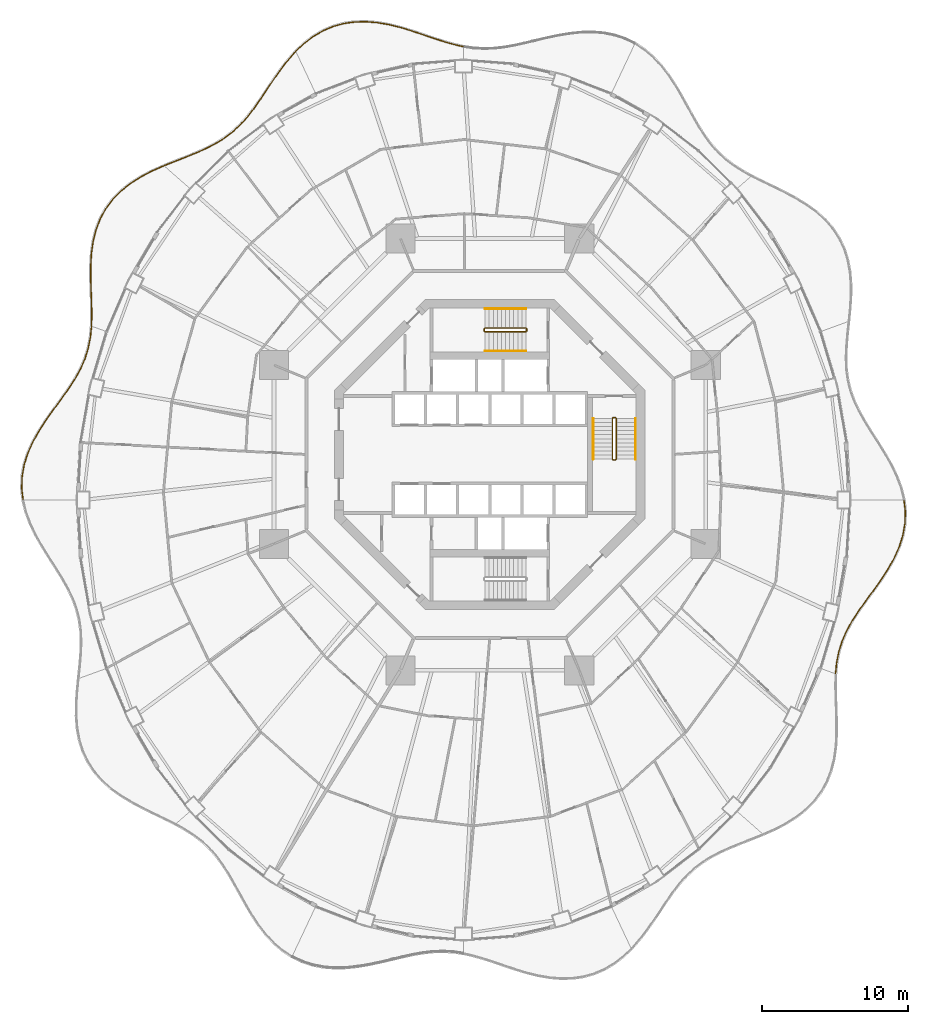
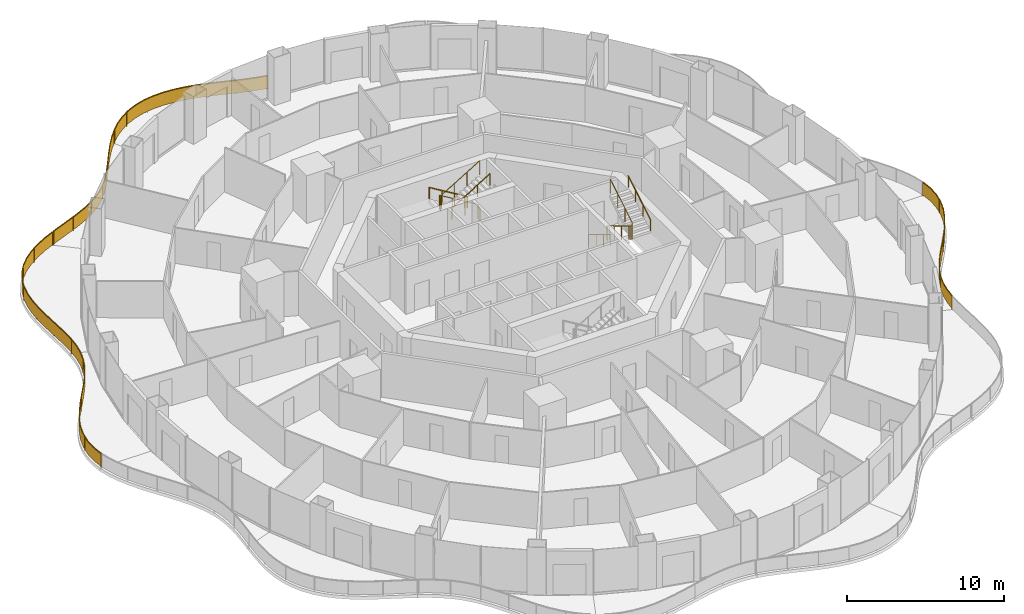
# One storey, part 18 of 19: 11 railings.
"""IFC4 building model written with IfcOpenShell, lengths in metres."""

from ifc_helpers import new_model, si_unit, direction, frame, origin, origin_2d, place, context, subcontext, project, spatial, polyline, rectangle, circle, outline, extrude, material, type_object, element, save


model = new_model("IFC4")

# Units and contexts
model_context = context("Model", 3, precision=1e-05, world=origin(), true_north=direction((0.0, 1.0)))
body_context = subcontext(model_context, "Body", "Model", "MODEL_VIEW")
ifc_project = project(units=[si_unit("LENGTHUNIT", "METRE"), si_unit("AREAUNIT", "SQUARE_METRE"), si_unit("VOLUMEUNIT", "CUBIC_METRE"), si_unit("PLANEANGLEUNIT", "RADIAN"), si_unit("MASSUNIT", "GRAM", prefix="KILO")], contexts=[model_context])

# Site, building, storey
site_placement = place(None, origin())
site = spatial("IfcSite", under=ifc_project, at=site_placement, CompositionType="ELEMENT")
building_placement = place(site_placement, origin())
building = spatial("IfcBuilding", under=site, at=building_placement, Name="Nagisa Residences", CompositionType="ELEMENT")
storey_placement = place(building_placement, frame((0.0, 0.0, 149.199951171875)))
storey = spatial("IfcBuildingStorey", under=building, at=storey_placement, Name="L37", CompositionType="ELEMENT", Elevation=149.199951171875)

# Railings
ifc_material_1 = material(Name="Stainless steel 316", Category="steel")
railing_type_1 = type_object("IfcRailingType", Name="BALCONY GUARD 1100", PredefinedType="BALUSTRADE", material=ifc_material_1)
railing_1_placement = place(storey_placement, frame((-1.834228515625, 27.925537109375, 0.0)))
element("IfcRailing", 1, at=railing_1_placement, inside=storey, type_object=railing_type_1, Name="guard:L37:bal04-0", PredefinedType="BALUSTRADE", context=body_context, shape_type="SweptSolid", body=[
    extrude(outline(polyline([(-0.65087890625, 0.123046875), (-0.005615234375, -0.0244140625), (0.005615234375, 0.0244140625), (-0.63818359375, 0.17138671875), (-1.337158203125, 0.37255859375), (-2.052734375, 0.606201171875), (-2.787109375, 0.8564453125), (-3.540771484375, 1.10595703125), (-4.29345703125, 1.337646484375), (-5.07666015625, 1.5283203125), (-5.866455078125, 1.6630859375), (-6.655517578125, 1.726318359375), (-7.435546875, 1.706298828125), (-8.1806640625, 1.60009765625), (-8.91650390625, 1.393310546875), (-9.61865234375, 1.091552734375), (-10.28076171875, 0.69970703125), (-10.89990234375, 0.22705078125), (-11.438232421875, -0.283203125), (-11.403564453125, -0.3193359375), (-10.8671875, 0.18896484375), (-10.2529296875, 0.658203125), (-9.595703125, 1.046630859375), (-8.89990234375, 1.345947265625), (-8.17041015625, 1.55078125), (-7.43115234375, 1.656494140625), (-6.656982421875, 1.676025390625), (-5.872802734375, 1.61328125), (-5.0869140625, 1.4794921875), (-4.306640625, 1.289306640625), (-3.555908203125, 1.05810546875), (-2.80322265625, 0.80908203125), (-2.068359375, 0.558837890625), (-1.351806640625, 0.32470703125), (-0.65087890625, 0.123046875)])), frame((0.0, 0.0, 1.050048828125)), (0.0, 0.0, 1.0), 0.050048828125),
    extrude(outline(polyline([(-0.646240234375, 0.140380859375), (-0.00146484375, -0.0068359375), (0.00146484375, 0.0068359375), (-0.642822265625, 0.154052734375), (-1.342529296875, 0.355224609375), (-2.058349609375, 0.589111328125), (-2.79296875, 0.83935546875), (-3.546142578125, 1.088623046875), (-4.298095703125, 1.3203125), (-5.080322265625, 1.5107421875), (-5.86865234375, 1.64501953125), (-6.656005859375, 1.708251953125), (-7.433837890625, 1.6884765625), (-8.177001953125, 1.582275390625), (-8.91064453125, 1.376220703125), (-9.6103515625, 1.075439453125), (-10.270751953125, 0.684814453125), (-10.88818359375, 0.21337890625), (-11.42578125, -0.296142578125), (-11.416015625, -0.306396484375), (-10.87890625, 0.20263671875), (-10.262939453125, 0.673095703125), (-9.60400390625, 1.062744140625), (-8.90576171875, 1.363037109375), (-8.174072265625, 1.568603515625), (-7.432861328125, 1.67431640625), (-6.656494140625, 1.694091796875), (-5.87060546875, 1.63134765625), (-5.083251953125, 1.4970703125), (-4.302001953125, 1.306640625), (-3.550537109375, 1.075439453125), (-2.79736328125, 0.826171875), (-2.062744140625, 0.575927734375), (-1.346435546875, 0.342041015625), (-0.646240234375, 0.140380859375)])), frame((0.0, 0.0, 0.06005859375)), (0.0, 0.0, 1.0), 0.989990234375),
    extrude(rectangle(XDim=0.0400390625, YDim=0.0400390625, at=origin_2d()), origin(), (0.0, 0.0, 1.0), 1.050048828125),
    extrude(rectangle(XDim=0.0400390625, YDim=0.0400390625, at=origin_2d()), frame((-1.960205078125, 0.5498046875, 0.0)), (0.0, 0.0, 1.0), 1.050048828125),
    extrude(rectangle(XDim=0.0400390625, YDim=0.0400390625, at=origin_2d()), frame((-3.89453125, 1.188720703125, 0.0)), (0.0, 0.0, 1.0), 1.050048828125),
    extrude(rectangle(XDim=0.0400390625, YDim=0.0400390625, at=origin_2d()), frame((-5.878662109375, 1.638916015625, 0.0)), (0.0, 0.0, 1.0), 1.050048828125),
    extrude(rectangle(XDim=0.0400390625, YDim=0.0400390625, at=origin_2d()), frame((-7.908447265625, 1.613525390625, 0.0)), (0.0, 0.0, 1.0), 1.050048828125),
    extrude(rectangle(XDim=0.0400390625, YDim=0.0400390625, at=origin_2d()), frame((-9.818359375, 0.944091796875, 0.0)), (0.0, 0.0, 1.0), 1.050048828125),
    extrude(rectangle(XDim=0.0400390625, YDim=0.0400390625, at=origin_2d()), frame((-11.4208984375, -0.30126953125, 0.0)), (0.0, 0.0, 1.0), 1.050048828125),
])
railing_2_placement = place(storey_placement, frame((-13.308349609375, 27.568115234375, 0.0)))
element("IfcRailing", 2, at=railing_2_placement, inside=storey, type_object=railing_type_1, Name="guard:L37:bal05-0", PredefinedType="BALUSTRADE", context=body_context, shape_type="SweptSolid", body=[
    extrude(outline(polyline([(-0.497802734375, -0.599365234375), (0.018798828125, -0.0166015625), (-0.018798828125, 0.0166015625), (-0.536376953125, -0.567138671875), (-1.04638671875, -1.22412109375), (-1.5234375, -1.900634765625), (-1.97705078125, -2.57763671875), (-2.4189453125, -3.237548828125), (-2.84765625, -3.8564453125), (-3.3037109375, -4.440673828125), (-3.7841796875, -4.97412109375), (-4.299072265625, -5.452880859375), (-4.855712890625, -5.87841796875), (-5.44580078125, -6.244873046875), (-6.09375, -6.582275390625), (-6.78369140625, -6.89111328125), (-7.50830078125, -7.1845703125), (-8.256591796875, -7.4775390625), (-8.972900390625, -7.764404296875), (-8.954345703125, -7.810791015625), (-8.238037109375, -7.52392578125), (-7.48974609375, -7.23095703125), (-6.76416015625, -6.93701171875), (-6.07177734375, -6.627197265625), (-5.4208984375, -6.288330078125), (-4.827392578125, -5.91943359375), (-4.266845703125, -5.490966796875), (-3.74853515625, -5.00927734375), (-3.26513671875, -4.472900390625), (-2.80712890625, -3.88623046875), (-2.37744140625, -3.265869140625), (-1.935546875, -2.60546875), (-1.482421875, -1.928955078125), (-1.00634765625, -1.25390625), (-0.497802734375, -0.599365234375)])), frame((0.0, 0.0, 1.050048828125)), (0.0, 0.0, 1.0), 0.050048828125),
    extrude(outline(polyline([(-0.51171875, -0.587646484375), (0.005126953125, -0.004638671875), (-0.005126953125, 0.004638671875), (-0.5224609375, -0.578857421875), (-1.031982421875, -1.23486328125), (-1.5087890625, -1.910888671875), (-1.962158203125, -2.587646484375), (-2.404052734375, -3.247802734375), (-2.8330078125, -3.8671875), (-3.289794921875, -4.452392578125), (-3.771240234375, -4.98681640625), (-4.28759765625, -5.466552734375), (-4.845458984375, -5.89306640625), (-5.436767578125, -6.260498046875), (-6.085693359375, -6.598388671875), (-6.776611328125, -6.90771484375), (-7.501708984375, -7.201171875), (-8.25, -7.494140625), (-8.96630859375, -7.781005859375), (-8.9609375, -7.794189453125), (-8.24462890625, -7.50732421875), (-7.496337890625, -7.21435546875), (-6.771240234375, -6.92041015625), (-6.079833984375, -6.611083984375), (-5.429931640625, -6.272705078125), (-4.837646484375, -5.90478515625), (-4.2783203125, -5.477294921875), (-3.761474609375, -4.99658203125), (-3.279052734375, -4.461181640625), (-2.82177734375, -3.87548828125), (-2.392333984375, -3.255615234375), (-1.950439453125, -2.595458984375), (-1.4970703125, -1.918701171875), (-1.020751953125, -1.2431640625), (-0.51171875, -0.587646484375)])), frame((0.0, 0.0, 0.06005859375)), (0.0, 0.0, 1.0), 0.989990234375),
    extrude(rectangle(XDim=0.0400390625, YDim=0.0400390625, at=origin_2d()), origin(), (0.0, 0.0, 1.0), 1.050048828125),
    extrude(rectangle(XDim=0.0400390625, YDim=0.0400390625, at=origin_2d()), frame((-1.271728515625, -1.587158203125, 0.0)), (0.0, 0.0, 1.0), 1.050048828125),
    extrude(rectangle(XDim=0.0400390625, YDim=0.0400390625, at=origin_2d()), frame((-2.412841796875, -3.27294921875, 0.0)), (0.0, 0.0, 1.0), 1.050048828125),
    extrude(rectangle(XDim=0.0400390625, YDim=0.0400390625, at=origin_2d()), frame((-3.66259765625, -4.87646484375, 0.0)), (0.0, 0.0, 1.0), 1.050048828125),
    extrude(rectangle(XDim=0.0400390625, YDim=0.0400390625, at=origin_2d()), frame((-5.24267578125, -6.148193359375, 0.0)), (0.0, 0.0, 1.0), 1.050048828125),
    extrude(rectangle(XDim=0.0400390625, YDim=0.0400390625, at=origin_2d()), frame((-7.072265625, -7.034912109375, 0.0)), (0.0, 0.0, 1.0), 1.050048828125),
    extrude(rectangle(XDim=0.0400390625, YDim=0.0400390625, at=origin_2d()), frame((-8.963623046875, -7.78759765625, 0.0)), (0.0, 0.0, 1.0), 1.050048828125),
])
railing_3_placement = place(storey_placement, frame((-22.34326171875, 19.751708984375, 0.0)))
element("IfcRailing", 3, at=railing_3_placement, inside=storey, type_object=railing_type_1, Name="guard:L37:bal06-0", PredefinedType="BALUSTRADE", context=body_context, shape_type="SweptSolid", body=[
    extrude(outline(polyline([(-0.73681640625, -0.3525390625), (0.010009765625, -0.02294921875), (-0.010009765625, 0.02294921875), (-0.75830078125, -0.3076171875), (-1.521240234375, -0.70361328125), (-2.239013671875, -1.15478515625), (-2.893798828125, -1.6689453125), (-3.469970703125, -2.248779296875), (-3.949462890625, -2.883544921875), (-4.3408203125, -3.591064453125), (-4.635498046875, -4.352294921875), (-4.837646484375, -5.156494140625), (-4.95703125, -5.991455078125), (-5.002197265625, -6.831298828125), (-5.005126953125, -7.689453125), (-4.9794921875, -8.541259765625), (-4.947998046875, -9.376953125), (-4.9326171875, -10.18896484375), (-4.950927734375, -10.93017578125), (-4.901123046875, -10.931640625), (-4.88232421875, -10.18896484375), (-4.898193359375, -9.37548828125), (-4.9296875, -8.539794921875), (-4.954833984375, -7.68896484375), (-4.952392578125, -6.832763671875), (-4.9072265625, -5.996337890625), (-4.788330078125, -5.166259765625), (-4.587646484375, -4.367431640625), (-4.29541015625, -3.612548828125), (-3.907470703125, -2.910888671875), (-3.431884765625, -2.281494140625), (-2.860595703125, -1.70654296875), (-2.210205078125, -1.19580078125), (-1.496337890625, -0.7470703125), (-0.73681640625, -0.3525390625)])), frame((0.0, 0.0, 1.050048828125)), (0.0, 0.0, 1.0), 0.050048828125),
    extrude(outline(polyline([(-0.74462890625, -0.33642578125), (0.0029296875, -0.00634765625), (-0.0029296875, 0.00634765625), (-0.75048828125, -0.32373046875), (-1.51220703125, -0.71923828125), (-2.228759765625, -1.169677734375), (-2.8818359375, -1.6826171875), (-3.456298828125, -2.260498046875), (-3.934326171875, -2.893310546875), (-4.324462890625, -3.598876953125), (-4.6181640625, -4.357666015625), (-4.81982421875, -5.159912109375), (-4.939208984375, -5.9931640625), (-4.984375, -6.831787109375), (-4.987060546875, -7.689208984375), (-4.961669921875, -8.540771484375), (-4.93017578125, -9.37646484375), (-4.91455078125, -10.18896484375), (-4.93310546875, -10.9306640625), (-4.9189453125, -10.93115234375), (-4.900390625, -10.18896484375), (-4.916015625, -9.3759765625), (-4.947509765625, -8.540283203125), (-4.972900390625, -7.689208984375), (-4.97021484375, -6.832275390625), (-4.925048828125, -5.99462890625), (-4.80615234375, -5.162841796875), (-4.60498046875, -4.362060546875), (-4.311767578125, -3.604736328125), (-3.922607421875, -2.901123046875), (-3.445556640625, -2.269775390625), (-2.87255859375, -1.69287109375), (-2.220458984375, -1.180908203125), (-1.50537109375, -0.7314453125), (-0.74462890625, -0.33642578125)])), frame((0.0, 0.0, 0.06005859375)), (0.0, 0.0, 1.0), 0.989990234375),
    extrude(rectangle(XDim=0.0400390625, YDim=0.0400390625, at=origin_2d()), origin(), (0.0, 0.0, 1.0), 1.050048828125),
    extrude(rectangle(XDim=0.0400390625, YDim=0.0400390625, at=origin_2d()), frame((-1.95068359375, -1.003173828125, 0.0)), (0.0, 0.0, 1.0), 1.050048828125),
    extrude(rectangle(XDim=0.0400390625, YDim=0.0400390625, at=origin_2d()), frame((-3.58935546875, -2.448486328125, 0.0)), (0.0, 0.0, 1.0), 1.050048828125),
    extrude(rectangle(XDim=0.0400390625, YDim=0.0400390625, at=origin_2d()), frame((-4.615478515625, -4.375732421875, 0.0)), (0.0, 0.0, 1.0), 1.050048828125),
    extrude(rectangle(XDim=0.0400390625, YDim=0.0400390625, at=origin_2d()), frame((-4.96142578125, -6.538818359375, 0.0)), (0.0, 0.0, 1.0), 1.050048828125),
    extrude(rectangle(XDim=0.0400390625, YDim=0.0400390625, at=origin_2d()), frame((-4.947265625, -8.73486328125, 0.0)), (0.0, 0.0, 1.0), 1.050048828125),
    extrude(rectangle(XDim=0.0400390625, YDim=0.0400390625, at=origin_2d()), frame((-4.926025390625, -10.930908203125, 0.0)), (0.0, 0.0, 1.0), 1.050048828125),
])
railing_4_placement = place(storey_placement, frame((-27.271484375, 8.748779296875, 0.0)))
element("IfcRailing", 4, at=railing_4_placement, inside=storey, type_object=railing_type_1, Name="guard:L37:bal07-0", PredefinedType="BALUSTRADE", context=body_context, shape_type="SweptSolid", body=[
    extrude(outline(polyline([(-0.047607421875, -0.73974609375), (0.02490234375, -0.00244140625), (-0.02490234375, 0.00244140625), (-0.097412109375, -0.732421875), (-0.244873046875, -1.47802734375), (-0.470947265625, -2.19677734375), (-0.7763671875, -2.895263671875), (-1.156494140625, -3.5810546875), (-1.596435546875, -4.24951171875), (-2.084716796875, -4.936279296875), (-2.596435546875, -5.634765625), (-3.106689453125, -6.3505859375), (-3.5888671875, -7.087890625), (-4.015869140625, -7.83447265625), (-4.3681640625, -8.61669921875), (-4.6240234375, -9.41796875), (-4.769775390625, -10.23291015625), (-4.798583984375, -11.05517578125), (-4.713623046875, -11.83056640625), (-4.663818359375, -11.8251953125), (-4.748291015625, -11.05322265625), (-4.719970703125, -10.23828125), (-4.5751953125, -9.43017578125), (-4.3212890625, -8.634765625), (-3.971435546875, -7.857421875), (-3.54638671875, -7.1142578125), (-3.065185546875, -6.37890625), (-2.555908203125, -5.6640625), (-2.044189453125, -4.965576171875), (-1.554931640625, -4.27783203125), (-1.113525390625, -3.60693359375), (-0.7314453125, -2.917236328125), (-0.424072265625, -2.21435546875), (-0.196533203125, -1.490234375), (-0.047607421875, -0.73974609375)])), frame((0.0, 0.0, 1.050048828125)), (0.0, 0.0, 1.0), 0.050048828125),
    extrude(outline(polyline([(-0.065673828125, -0.737060546875), (0.007080078125, -0.000732421875), (-0.007080078125, 0.000732421875), (-0.079345703125, -0.735107421875), (-0.2275390625, -1.482421875), (-0.4541015625, -2.203125), (-0.76025390625, -2.903076171875), (-1.14111328125, -3.59033203125), (-1.58154296875, -4.259765625), (-2.070068359375, -4.94677734375), (-2.581787109375, -5.645263671875), (-3.091796875, -6.36083984375), (-3.573486328125, -7.097412109375), (-4.0, -7.8427734375), (-4.351318359375, -8.623291015625), (-4.6064453125, -9.42236328125), (-4.751953125, -10.23486328125), (-4.780517578125, -11.054443359375), (-4.69580078125, -11.82861328125), (-4.681640625, -11.8271484375), (-4.766357421875, -11.053955078125), (-4.73779296875, -10.236328125), (-4.5927734375, -9.42578125), (-4.338134765625, -8.628173828125), (-3.9873046875, -7.84912109375), (-3.561767578125, -7.104736328125), (-3.080078125, -6.36865234375), (-2.570556640625, -5.653564453125), (-2.058837890625, -4.955078125), (-1.56982421875, -4.267578125), (-1.12890625, -3.59765625), (-0.74755859375, -2.909423828125), (-0.44091796875, -2.2080078125), (-0.2138671875, -1.48583984375), (-0.065673828125, -0.737060546875)])), frame((0.0, 0.0, 0.06005859375)), (0.0, 0.0, 1.0), 0.989990234375),
    extrude(rectangle(XDim=0.0400390625, YDim=0.0400390625, at=origin_2d()), origin(), (0.0, 0.0, 1.0), 1.050048828125),
    extrude(rectangle(XDim=0.0400390625, YDim=0.0400390625, at=origin_2d()), frame((-0.422607421875, -2.126220703125, 0.0)), (0.0, 0.0, 1.0), 1.050048828125),
    extrude(rectangle(XDim=0.0400390625, YDim=0.0400390625, at=origin_2d()), frame((-1.432373046875, -4.0458984375, 0.0)), (0.0, 0.0, 1.0), 1.050048828125),
    extrude(rectangle(XDim=0.0400390625, YDim=0.0400390625, at=origin_2d()), frame((-2.695556640625, -5.81689453125, 0.0)), (0.0, 0.0, 1.0), 1.050048828125),
    extrude(rectangle(XDim=0.0400390625, YDim=0.0400390625, at=origin_2d()), frame((-3.876708984375, -7.641357421875, 0.0)), (0.0, 0.0, 1.0), 1.050048828125),
    extrude(rectangle(XDim=0.0400390625, YDim=0.0400390625, at=origin_2d()), frame((-4.64306640625, -9.666748046875, 0.0)), (0.0, 0.0, 1.0), 1.050048828125),
    extrude(rectangle(XDim=0.0400390625, YDim=0.0400390625, at=origin_2d()), frame((-4.688720703125, -11.827880859375, 0.0)), (0.0, 0.0, 1.0), 1.050048828125),
])
railing_5_placement = place(storey_placement, frame((23.67138671875, -14.984130859375, 0.0)))
element("IfcRailing", 5, at=railing_5_placement, inside=storey, type_object=railing_type_1, Name="guard:L37:bal15-0", PredefinedType="BALUSTRADE", context=body_context, shape_type="SweptSolid", body=[
    extrude(outline(polyline([(0.0478515625, 0.73974609375), (-0.02490234375, 0.00244140625), (0.02490234375, -0.00244140625), (0.09765625, 0.732421875), (0.244873046875, 1.47802734375), (0.470947265625, 2.196533203125), (0.776611328125, 2.895263671875), (1.15673828125, 3.5810546875), (1.596435546875, 4.24951171875), (2.084716796875, 4.936279296875), (2.596435546875, 5.634765625), (3.106689453125, 6.3505859375), (3.5888671875, 7.087890625), (4.01611328125, 7.83447265625), (4.3681640625, 8.61669921875), (4.6240234375, 9.41796875), (4.77001953125, 10.23291015625), (4.798583984375, 11.05517578125), (4.713623046875, 11.83056640625), (4.663818359375, 11.8251953125), (4.748291015625, 11.05322265625), (4.72021484375, 10.23828125), (4.5751953125, 9.43017578125), (4.3212890625, 8.634765625), (3.9716796875, 7.857421875), (3.54638671875, 7.1142578125), (3.065185546875, 6.37890625), (2.555908203125, 5.6640625), (2.044189453125, 4.965576171875), (1.554931640625, 4.27783203125), (1.11376953125, 3.60693359375), (0.731689453125, 2.917236328125), (0.424072265625, 2.214111328125), (0.196533203125, 1.490234375), (0.0478515625, 0.73974609375)])), frame((0.0, 0.0, 1.050048828125)), (0.0, 0.0, 1.0), 0.050048828125),
    extrude(outline(polyline([(0.06591796875, 0.737060546875), (-0.007080078125, 0.000732421875), (0.007080078125, -0.000732421875), (0.07958984375, 0.735107421875), (0.2275390625, 1.482421875), (0.4541015625, 2.202880859375), (0.760498046875, 2.903076171875), (1.141357421875, 3.59033203125), (1.58154296875, 4.259765625), (2.070068359375, 4.94677734375), (2.581787109375, 5.645263671875), (3.091796875, 6.36083984375), (3.573486328125, 7.097412109375), (4.000244140625, 7.8427734375), (4.351318359375, 8.623291015625), (4.6064453125, 9.42236328125), (4.752197265625, 10.23486328125), (4.780517578125, 11.054443359375), (4.69580078125, 11.82861328125), (4.681640625, 11.8271484375), (4.766357421875, 11.053955078125), (4.738037109375, 10.236328125), (4.5927734375, 9.42578125), (4.338134765625, 8.628173828125), (3.987548828125, 7.84912109375), (3.561767578125, 7.104736328125), (3.080078125, 6.36865234375), (2.570556640625, 5.653564453125), (2.058837890625, 4.955078125), (1.56982421875, 4.267578125), (1.129150390625, 3.59765625), (0.747802734375, 2.909423828125), (0.44091796875, 2.207763671875), (0.2138671875, 1.48583984375), (0.06591796875, 0.737060546875)])), frame((0.0, 0.0, 0.06005859375)), (0.0, 0.0, 1.0), 0.989990234375),
    extrude(rectangle(XDim=0.0400390625, YDim=0.0400390625, at=origin_2d()), origin(), (0.0, 0.0, 1.0), 1.050048828125),
    extrude(rectangle(XDim=0.0400390625, YDim=0.0400390625, at=origin_2d()), frame((0.422607421875, 2.126220703125, 0.0)), (0.0, 0.0, 1.0), 1.050048828125),
    extrude(rectangle(XDim=0.0400390625, YDim=0.0400390625, at=origin_2d()), frame((1.4326171875, 4.046142578125, 0.0)), (0.0, 0.0, 1.0), 1.050048828125),
    extrude(rectangle(XDim=0.0400390625, YDim=0.0400390625, at=origin_2d()), frame((2.695556640625, 5.81689453125, 0.0)), (0.0, 0.0, 1.0), 1.050048828125),
    extrude(rectangle(XDim=0.0400390625, YDim=0.0400390625, at=origin_2d()), frame((3.876953125, 7.641357421875, 0.0)), (0.0, 0.0, 1.0), 1.050048828125),
    extrude(rectangle(XDim=0.0400390625, YDim=0.0400390625, at=origin_2d()), frame((4.64306640625, 9.666748046875, 0.0)), (0.0, 0.0, 1.0), 1.050048828125),
    extrude(rectangle(XDim=0.0400390625, YDim=0.0400390625, at=origin_2d()), frame((4.688720703125, 11.827880859375, 0.0)), (0.0, 0.0, 1.0), 1.050048828125),
])
ifc_material_2 = material(Name="Stainless steel", Category="steel")
railing_type_2 = type_object("IfcRailingType", Name="Stair guard 1100", PredefinedType="GUARDRAIL", material=ifc_material_2)
railing_6_placement = place(storey_placement, frame((8.599609375, 2.52490234375, 0.0)))
element("IfcRailing", 6, at=railing_6_placement, inside=storey, type_object=railing_type_2, Name="L37 ST-E stair guard 1", PredefinedType="GUARDRAIL", context=body_context, shape_type="SweptSolid", body=[
    extrude(circle(Radius=0.02392578125, at=origin_2d()), frame((0.0, 0.0, 1.076171875), z_axis=(-1.0, 0.0, 0.0), x_axis=(0.0, -1.0, 0.0)), (0.0, 0.0, 1.0), 0.14990234375),
    extrude(circle(Radius=0.02392578125, at=origin_2d()), frame((-0.14990234375, 0.0, 1.076171875), z_axis=(-0.27434429532, -0.273006030465, 0.922064485248), x_axis=(0.705375805398, -0.708833529934, 0.0)), (0.0, 0.0, 1.0), 0.182373046875),
    extrude(circle(Radius=0.02392578125, at=origin_2d()), frame((-0.199951171875, -0.0498046875, 1.244140625), z_axis=(0.0, -0.857242210791, 0.514913383045), x_axis=(1.0, 0.0, 0.0)), (0.0, 0.0, 1.0), 3.266357421875),
    extrude(circle(Radius=0.02392578125, at=origin_2d()), frame((-0.199951171875, -2.849853515625, 2.92626953125), z_axis=(0.707106781187, -0.707106781187, 0.0), x_axis=(0.707106781187, 0.707106781187, 0.0)), (0.0, 0.0, 1.0), 0.07080078125),
    extrude(circle(Radius=0.02392578125, at=origin_2d()), frame((-0.14990234375, -2.89990234375, 2.92626953125), z_axis=(1.0, 0.0, 0.0), x_axis=(0.0, 1.0, 0.0)), (0.0, 0.0, 1.0), 0.14990234375),
    extrude(circle(Radius=0.02392578125, at=origin_2d()), frame((0.0, -2.89990234375, 2.92626953125), z_axis=(0.274243871929, 0.274243871929, 0.92172696468), x_axis=(-0.707106781187, 0.707106781187, 0.0)), (0.0, 0.0, 1.0), 0.1826171875),
    extrude(circle(Radius=0.02392578125, at=origin_2d()), frame((0.050048828125, -2.849853515625, 3.09423828125), z_axis=(0.0, 0.857275202839, 0.514858452973), x_axis=(-1.0, 0.0, 0.0)), (0.0, 0.0, 1.0), 3.26611328125),
    extrude(circle(Radius=0.02099609375, at=origin_2d()), origin(), (0.0, 0.0, 1.0), 1.052001953125),
    extrude(circle(Radius=0.02099609375, at=origin_2d()), frame((-0.14990234375, 0.0, 0.0)), (0.0, 0.0, 1.0), 1.052001953125),
    extrude(circle(Radius=0.02099609375, at=origin_2d()), frame((-0.199951171875, -0.0498046875, 0.168212890625)), (0.0, 0.0, 1.0), 1.052001953125),
    extrude(circle(Radius=0.02099609375, at=origin_2d()), frame((-0.199951171875, -0.983154296875, 0.728759765625)), (0.0, 0.0, 1.0), 1.052001953125),
    extrude(circle(Radius=0.02099609375, at=origin_2d()), frame((-0.199951171875, -1.91650390625, 1.28955078125)), (0.0, 0.0, 1.0), 1.052001953125),
    extrude(circle(Radius=0.02099609375, at=origin_2d()), frame((-0.199951171875, -2.849853515625, 1.85009765625)), (0.0, 0.0, 1.0), 1.052001953125),
    extrude(circle(Radius=0.02099609375, at=origin_2d()), frame((-0.14990234375, -2.89990234375, 1.85009765625)), (0.0, 0.0, 1.0), 1.052001953125),
    extrude(circle(Radius=0.02099609375, at=origin_2d()), frame((0.0, -2.89990234375, 1.85009765625)), (0.0, 0.0, 1.0), 1.052001953125),
    extrude(circle(Radius=0.02099609375, at=origin_2d()), frame((0.050048828125, -2.849853515625, 2.018310546875)), (0.0, 0.0, 1.0), 1.052001953125),
    extrude(circle(Radius=0.02099609375, at=origin_2d()), frame((0.050048828125, -1.91650390625, 2.578857421875)), (0.0, 0.0, 1.0), 1.052001953125),
    extrude(circle(Radius=0.02099609375, at=origin_2d()), frame((0.050048828125, -0.983154296875, 3.139404296875)), (0.0, 0.0, 1.0), 1.052001953125),
    extrude(circle(Radius=0.02099609375, at=origin_2d()), frame((0.050048828125, -0.0498046875, 3.699951171875)), (0.0, 0.0, 1.0), 1.052001953125),
])
railing_7_placement = place(storey_placement, frame((2.52490234375, 8.44970703125, 0.0)))
element("IfcRailing", 7, at=railing_7_placement, inside=storey, type_object=railing_type_2, Name="L37 ST-N stair guard 1", PredefinedType="GUARDRAIL", context=body_context, shape_type="SweptSolid", body=[
    extrude(circle(Radius=0.02392578125, at=origin_2d()), frame((0.0, 0.0, 1.076171875), z_axis=(0.0, 1.0, 0.0), x_axis=(-1.0, 0.0, 0.0)), (0.0, 0.0, 1.0), 0.14990234375),
    extrude(circle(Radius=0.02392578125, at=origin_2d()), frame((0.0, 0.14990234375, 1.076171875), z_axis=(-0.273006030465, 0.27434429532, 0.922064485248), x_axis=(-0.708833529934, -0.705375805398, 0.0)), (0.0, 0.0, 1.0), 0.182373046875),
    extrude(circle(Radius=0.02392578125, at=origin_2d()), frame((-0.0498046875, 0.199951171875, 1.244140625), z_axis=(-0.857242210791, 0.0, 0.514913383045), x_axis=(0.0, -1.0, 0.0)), (0.0, 0.0, 1.0), 3.266357421875),
    extrude(circle(Radius=0.02392578125, at=origin_2d()), frame((-2.849853515625, 0.199951171875, 2.92626953125), z_axis=(-0.707106781187, -0.707106781187, 0.0), x_axis=(0.707106781187, -0.707106781187, 0.0)), (0.0, 0.0, 1.0), 0.07080078125),
    extrude(circle(Radius=0.02392578125, at=origin_2d()), frame((-2.89990234375, 0.14990234375, 2.92626953125), z_axis=(0.0, -1.0, 0.0), x_axis=(1.0, 0.0, 0.0)), (0.0, 0.0, 1.0), 0.14990234375),
    extrude(circle(Radius=0.02392578125, at=origin_2d()), frame((-2.89990234375, 0.0, 2.92626953125), z_axis=(0.274243871929, -0.274243871929, 0.92172696468), x_axis=(0.707106781187, 0.707106781187, 0.0)), (0.0, 0.0, 1.0), 0.1826171875),
    extrude(circle(Radius=0.02392578125, at=origin_2d()), frame((-2.849853515625, -0.050048828125, 3.09423828125), z_axis=(0.857275202839, 0.0, 0.514858452973), x_axis=(0.0, 1.0, 0.0)), (0.0, 0.0, 1.0), 3.26611328125),
    extrude(circle(Radius=0.02099609375, at=origin_2d()), origin(), (0.0, 0.0, 1.0), 1.052001953125),
    extrude(circle(Radius=0.02099609375, at=origin_2d()), frame((0.0, 0.14990234375, 0.0)), (0.0, 0.0, 1.0), 1.052001953125),
    extrude(circle(Radius=0.02099609375, at=origin_2d()), frame((-0.0498046875, 0.199951171875, 0.168212890625)), (0.0, 0.0, 1.0), 1.052001953125),
    extrude(circle(Radius=0.02099609375, at=origin_2d()), frame((-0.983154296875, 0.199951171875, 0.728759765625)), (0.0, 0.0, 1.0), 1.052001953125),
    extrude(circle(Radius=0.02099609375, at=origin_2d()), frame((-1.91650390625, 0.199951171875, 1.28955078125)), (0.0, 0.0, 1.0), 1.052001953125),
    extrude(circle(Radius=0.02099609375, at=origin_2d()), frame((-2.849853515625, 0.199951171875, 1.85009765625)), (0.0, 0.0, 1.0), 1.052001953125),
    extrude(circle(Radius=0.02099609375, at=origin_2d()), frame((-2.89990234375, 0.14990234375, 1.85009765625)), (0.0, 0.0, 1.0), 1.052001953125),
    extrude(circle(Radius=0.02099609375, at=origin_2d()), frame((-2.89990234375, 0.0, 1.85009765625)), (0.0, 0.0, 1.0), 1.052001953125),
    extrude(circle(Radius=0.02099609375, at=origin_2d()), frame((-2.849853515625, -0.050048828125, 2.018310546875)), (0.0, 0.0, 1.0), 1.052001953125),
    extrude(circle(Radius=0.02099609375, at=origin_2d()), frame((-1.91650390625, -0.050048828125, 2.578857421875)), (0.0, 0.0, 1.0), 1.052001953125),
    extrude(circle(Radius=0.02099609375, at=origin_2d()), frame((-0.983154296875, -0.050048828125, 3.139404296875)), (0.0, 0.0, 1.0), 1.052001953125),
    extrude(circle(Radius=0.02099609375, at=origin_2d()), frame((-0.0498046875, -0.050048828125, 3.699951171875)), (0.0, 0.0, 1.0), 1.052001953125),
])
ifc_material_3 = material(Name="Stainless steel", Category="steel")
railing_type_3 = type_object("IfcRailingType", Name="Stair handrail 900", PredefinedType="HANDRAIL", material=ifc_material_3)
railing_8_placement = place(storey_placement, frame((7.07470703125, 2.47509765625, 0.168212890625)))
element("IfcRailing", 8, at=railing_8_placement, inside=storey, type_object=railing_type_3, Name="L37 ST-E stair handrail 1", PredefinedType="HANDRAIL", context=body_context, shape_type="SweptSolid", body=[
    extrude(circle(Radius=0.02392578125, at=origin_2d()), frame((0.0, 0.0, 0.8759765625), z_axis=(0.0, -0.857242210791, 0.514913383045), x_axis=(1.0, 0.0, 0.0)), (0.0, 0.0, 1.0), 3.266357421875),
    extrude(circle(Radius=0.02099609375, at=origin_2d()), origin(), (0.0, 0.0, 1.0), 0.851806640625),
    extrude(circle(Radius=0.02099609375, at=origin_2d()), frame((0.0, -0.933349609375, 0.560546875)), (0.0, 0.0, 1.0), 0.851806640625),
    extrude(circle(Radius=0.02099609375, at=origin_2d()), frame((0.0, -1.86669921875, 1.121337890625)), (0.0, 0.0, 1.0), 0.851806640625),
    extrude(circle(Radius=0.02099609375, at=origin_2d()), frame((0.0, -2.800048828125, 1.681884765625)), (0.0, 0.0, 1.0), 0.851806640625),
])
railing_9_placement = place(storey_placement, frame((9.974609375, -0.324951171875, 2.018310546875)))
element("IfcRailing", 9, at=railing_9_placement, inside=storey, type_object=railing_type_3, Name="L37 ST-E stair handrail 2", PredefinedType="HANDRAIL", context=body_context, shape_type="SweptSolid", body=[
    extrude(circle(Radius=0.02392578125, at=origin_2d()), frame((0.0, 0.0, 0.8759765625), z_axis=(0.0, 0.857275202839, 0.514858452973), x_axis=(-1.0, 0.0, 0.0)), (0.0, 0.0, 1.0), 3.26611328125),
    extrude(circle(Radius=0.02099609375, at=origin_2d()), origin(), (0.0, 0.0, 1.0), 0.851806640625),
    extrude(circle(Radius=0.02099609375, at=origin_2d()), frame((0.0, 0.933349609375, 0.560546875)), (0.0, 0.0, 1.0), 0.851806640625),
    extrude(circle(Radius=0.02099609375, at=origin_2d()), frame((0.0, 1.86669921875, 1.12109375)), (0.0, 0.0, 1.0), 0.851806640625),
    extrude(circle(Radius=0.02099609375, at=origin_2d()), frame((0.0, 2.800048828125, 1.681640625)), (0.0, 0.0, 1.0), 0.851806640625),
])
railing_10_placement = place(storey_placement, frame((2.47509765625, 9.974609375, 0.168212890625)))
element("IfcRailing", 10, at=railing_10_placement, inside=storey, type_object=railing_type_3, Name="L37 ST-N stair handrail 1", PredefinedType="HANDRAIL", context=body_context, shape_type="SweptSolid", body=[
    extrude(circle(Radius=0.02392578125, at=origin_2d()), frame((0.0, 0.0, 0.8759765625), z_axis=(-0.857242210791, 0.0, 0.514913383045), x_axis=(0.0, -1.0, 0.0)), (0.0, 0.0, 1.0), 3.266357421875),
    extrude(circle(Radius=0.02099609375, at=origin_2d()), origin(), (0.0, 0.0, 1.0), 0.851806640625),
    extrude(circle(Radius=0.02099609375, at=origin_2d()), frame((-0.933349609375, 0.0, 0.560546875)), (0.0, 0.0, 1.0), 0.851806640625),
    extrude(circle(Radius=0.02099609375, at=origin_2d()), frame((-1.86669921875, 0.0, 1.121337890625)), (0.0, 0.0, 1.0), 0.851806640625),
    extrude(circle(Radius=0.02099609375, at=origin_2d()), frame((-2.800048828125, 0.0, 1.681884765625)), (0.0, 0.0, 1.0), 0.851806640625),
])
railing_11_placement = place(storey_placement, frame((-0.324951171875, 7.07470703125, 2.018310546875)))
element("IfcRailing", 11, at=railing_11_placement, inside=storey, type_object=railing_type_3, Name="L37 ST-N stair handrail 2", PredefinedType="HANDRAIL", context=body_context, shape_type="SweptSolid", body=[
    extrude(circle(Radius=0.02392578125, at=origin_2d()), frame((0.0, 0.0, 0.8759765625), z_axis=(0.857275202839, 0.0, 0.514858452973), x_axis=(0.0, 1.0, 0.0)), (0.0, 0.0, 1.0), 3.26611328125),
    extrude(circle(Radius=0.02099609375, at=origin_2d()), origin(), (0.0, 0.0, 1.0), 0.851806640625),
    extrude(circle(Radius=0.02099609375, at=origin_2d()), frame((0.933349609375, 0.0, 0.560546875)), (0.0, 0.0, 1.0), 0.851806640625),
    extrude(circle(Radius=0.02099609375, at=origin_2d()), frame((1.86669921875, 0.0, 1.12109375)), (0.0, 0.0, 1.0), 0.851806640625),
    extrude(circle(Radius=0.02099609375, at=origin_2d()), frame((2.800048828125, 0.0, 1.681640625)), (0.0, 0.0, 1.0), 0.851806640625),
])

save(model, "model.ifc")
